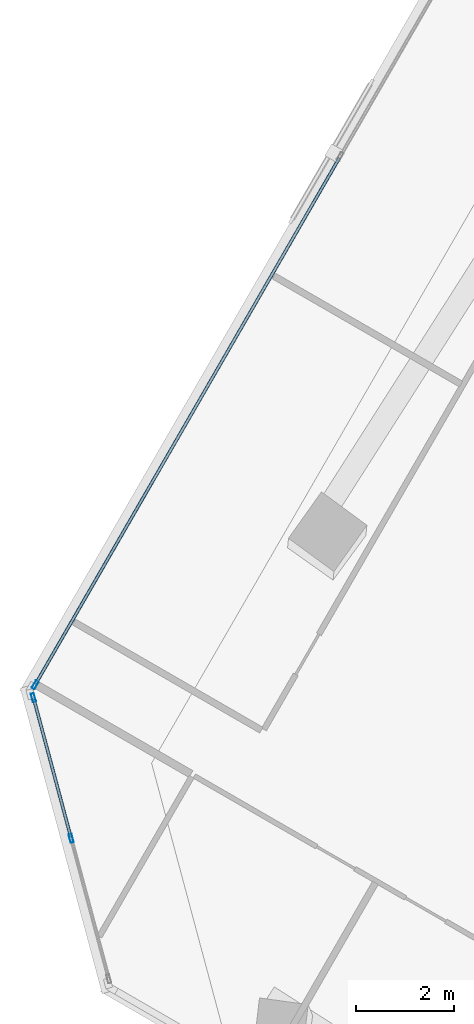
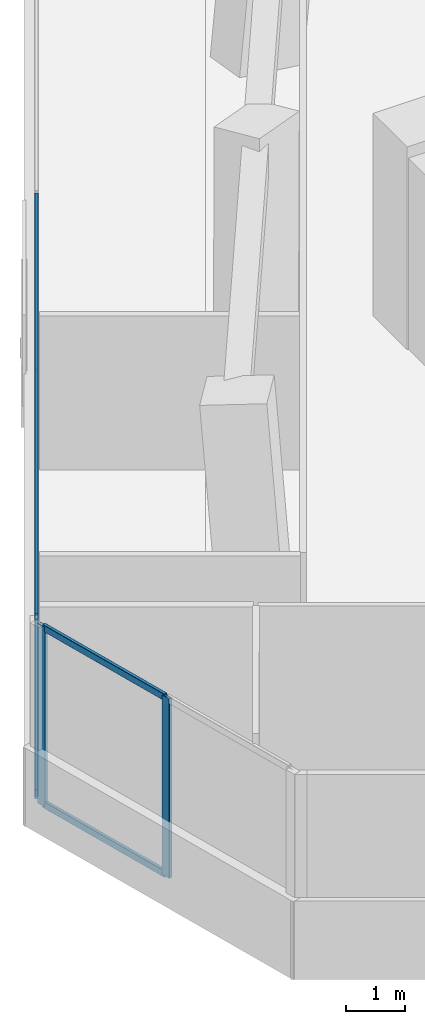
# One storey, part 6 of 22: 7 members, 2 elements without a shape of their own.
"""IFC4 building model written with IfcOpenShell, lengths in metres."""

from ifc_helpers import new_model, si_unit, direction, frame, origin, origin_2d, place, context, subcontext, project, spatial, hollow_rectangle, extrude, source, transform, mapped, material, material_profile, profile_set, type_object, element, aggregate, save


model = new_model("IFC4")

# Units and contexts
model_context = context("Model", 3, precision=1e-05, world=origin(), true_north=direction((0.0, 1.0)))
body_context = subcontext(model_context, "Body", "Model", "MODEL_VIEW")
ifc_project = project(units=[si_unit("LENGTHUNIT", "METRE"), si_unit("AREAUNIT", "SQUARE_METRE"), si_unit("VOLUMEUNIT", "CUBIC_METRE"), si_unit("PLANEANGLEUNIT", "RADIAN"), si_unit("MASSUNIT", "GRAM", prefix="KILO")], contexts=[model_context])

# Site, building, storey
site_placement = place(None, origin())
site = spatial("IfcSite", under=ifc_project, at=site_placement, CompositionType="ELEMENT")
building_placement = place(site_placement, origin())
building = spatial("IfcBuilding", under=site, at=building_placement, Name="Torre Montelarca", CompositionType="ELEMENT")
storey_placement = place(building_placement, frame((0.0, 0.0, 183.39990234375)))
storey = spatial("IfcBuildingStorey", under=building, at=storey_placement, Name="L41", CompositionType="ELEMENT", Elevation=183.39990234375)

# Curtain wall, members
ifc_material_1 = material(Name="Insulated low-E laminated glass", Category="glass")
curtain_wall_type = type_object("IfcCurtainWallType", Name="CW-SYS-Z2", PredefinedType="USERDEFINED", material=ifc_material_1)
curtain_wall_1_placement = place(storey_placement, origin())
curtain_wall_1 = element("IfcCurtainWall", 1, at=curtain_wall_1_placement, inside=storey, type_object=curtain_wall_type, Name="L41 Curtain Wall Run CW-T3-L41-E11-B1", ObjectType="UNITISED GLAZING", PredefinedType="USERDEFINED")
ifc_material_2 = material(Name="Anodised aluminium AA 6063-T6", Category="aluminium")
ifc_material_profile_1 = material_profile(ifc_material_2, hollow_rectangle(XDim=0.06494140625, YDim=0.139892578125, WallThickness=0.00390625, InnerFilletRadius=0.00390625, OuterFilletRadius=0.008056640625, at=origin_2d()), Name="ALU65X140X4", Category="aluminium")
ifc_profile_set_1 = profile_set([ifc_material_profile_1], Name="Anodised aluminium AA 6063-T6")
member_type_1 = type_object("IfcMemberType", Name="CWT-ALU140", PredefinedType="USERDEFINED", material=ifc_profile_set_1)
shared_shape_1 = source(origin(), body_context, "Body", "SweptSolid", [
    extrude(hollow_rectangle(XDim=0.06494140625, YDim=0.139892578125, WallThickness=0.00390625, InnerFilletRadius=0.00390625, OuterFilletRadius=0.008056640625, at=origin_2d()), origin(), (0.0, 0.0, 1.0), 2.91845703125),
])
member_1_placement = place(storey_placement, frame((-3.09130859375, 30.296142578125, 0.03271484375), z_axis=(0.258818317304, -0.965926021302, 0.0), x_axis=(0.965926021302, 0.258818317304, 0.0)))
member_1 = element("IfcMember", 2, at=member_1_placement, type_object=member_type_1, Name="CW transom 1.1", ObjectType="TRANSOM", PredefinedType="USERDEFINED", context=body_context, shape_type="MappedRepresentation", body=[
    mapped(shared_shape_1, transform((0.0, 0.0, 0.0), scale=1.0)),
])
member_2_placement = place(storey_placement, frame((-3.09130859375, 30.296142578125, 3.6875), z_axis=(0.258818317304, -0.965926021302, 0.0), x_axis=(0.965926021302, 0.258818317304, 0.0)))
member_2 = element("IfcMember", 3, at=member_2_placement, type_object=member_type_1, Name="CW transom 1.2", ObjectType="TRANSOM", PredefinedType="USERDEFINED", context=body_context, shape_type="MappedRepresentation", body=[
    mapped(shared_shape_1, transform((0.0, 0.0, 0.0), scale=1.0)),
])

curtain_wall_2_placement = place(storey_placement, origin())
curtain_wall_2 = element("IfcCurtainWall", 4, at=curtain_wall_2_placement, inside=storey, type_object=curtain_wall_type, Name="L41 Curtain Wall Run CW-T3-L41-E10-B1", ObjectType="UNITISED GLAZING", PredefinedType="USERDEFINED")
shared_shape_2 = source(origin(), body_context, "Body", "SweptSolid", [
    extrude(hollow_rectangle(XDim=0.06494140625, YDim=0.139892578125, WallThickness=0.00390625, InnerFilletRadius=0.00390625, OuterFilletRadius=0.008056640625, at=origin_2d()), origin(), (0.0, 0.0, 1.0), 12.436767578125),
])
member_3_placement = place(storey_placement, frame((3.169677734375, 41.390869140625, 0.03271484375), z_axis=(-0.499994339341, -0.866028671943, 0.0), x_axis=(0.866028671943, -0.499994339341, 0.0)))
member_3 = element("IfcMember", 5, at=member_3_placement, type_object=member_type_1, Name="CW transom 2.1", ObjectType="TRANSOM", PredefinedType="USERDEFINED", context=body_context, shape_type="MappedRepresentation", body=[
    mapped(shared_shape_2, transform((0.0, 0.0, 0.0), scale=1.0)),
])
member_4_placement = place(storey_placement, frame((3.169677734375, 41.390869140625, 3.6875), z_axis=(-0.499994339341, -0.866028671943, 0.0), x_axis=(0.866028671943, -0.499994339341, 0.0)))
member_4 = element("IfcMember", 6, at=member_4_placement, type_object=member_type_1, Name="CW transom 2.2", ObjectType="TRANSOM", PredefinedType="USERDEFINED", context=body_context, shape_type="MappedRepresentation", body=[
    mapped(shared_shape_2, transform((0.0, 0.0, 0.0), scale=1.0)),
])
ifc_material_profile_2 = material_profile(ifc_material_2, hollow_rectangle(XDim=0.06494140625, YDim=0.179931640625, WallThickness=0.00390625, InnerFilletRadius=0.00390625, OuterFilletRadius=0.008056640625, at=origin_2d()), Name="ALU65X180X4", Category="aluminium")
ifc_profile_set_2 = profile_set([ifc_material_profile_2], Name="Anodised aluminium AA 6063-T6")
member_type_2 = type_object("IfcMemberType", Name="CWM-ALU180", PredefinedType="MULLION", material=ifc_profile_set_2)
shared_shape_3 = source(origin(), body_context, "Body", "SweptSolid", [
    extrude(hollow_rectangle(XDim=0.06494140625, YDim=0.179931640625, WallThickness=0.00390625, InnerFilletRadius=0.00390625, OuterFilletRadius=0.008056640625, at=origin_2d()), origin(), (0.0, 0.0, 1.0), 3.72021484375),
])
member_5_placement = place(storey_placement, frame((-3.06494140625, 30.59228515625, 0.0), z_axis=(0.0, 0.0, 1.0), x_axis=(0.8660246934, -0.500001230421, 0.0)))
member_5 = element("IfcMember", 7, at=member_5_placement, type_object=member_type_2, Name="CW mullion 3", PredefinedType="MULLION", context=body_context, shape_type="MappedRepresentation", body=[
    mapped(shared_shape_3, transform((0.0, 0.0, 0.0), scale=1.0)),
])
aggregate(curtain_wall_2, [member_5, member_3, member_4])

# Member
member_6_placement = place(storey_placement, frame((-3.099853515625, 30.327392578125, 0.0), z_axis=(0.0, 0.0, 1.0), x_axis=(0.965928294635, 0.258809832936, 0.0)))
member_6 = element("IfcMember", 8, at=member_6_placement, type_object=member_type_2, Name="CW mullion 1", PredefinedType="MULLION", context=body_context, shape_type="MappedRepresentation", body=[
    mapped(shared_shape_3, transform((0.0, 0.0, 0.0), scale=1.0)),
])

member_7_placement = place(storey_placement, frame((-2.32763671875, 27.445556640625, 0.0), z_axis=(0.0, 0.0, 1.0), x_axis=(0.965928294635, 0.258809832936, 0.0)))
member_7 = element("IfcMember", 9, at=member_7_placement, type_object=member_type_2, Name="CW mullion 2", PredefinedType="MULLION", context=body_context, shape_type="MappedRepresentation", body=[
    mapped(shared_shape_3, transform((0.0, 0.0, 0.0), scale=1.0)),
])

aggregate(curtain_wall_1, [member_6, member_7, member_1, member_2])

save(model, "model.ifc")
